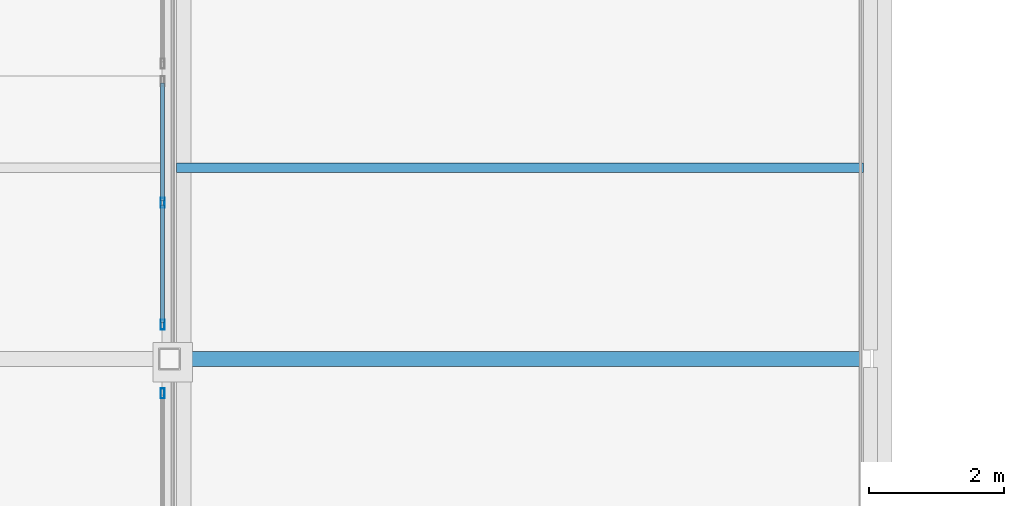
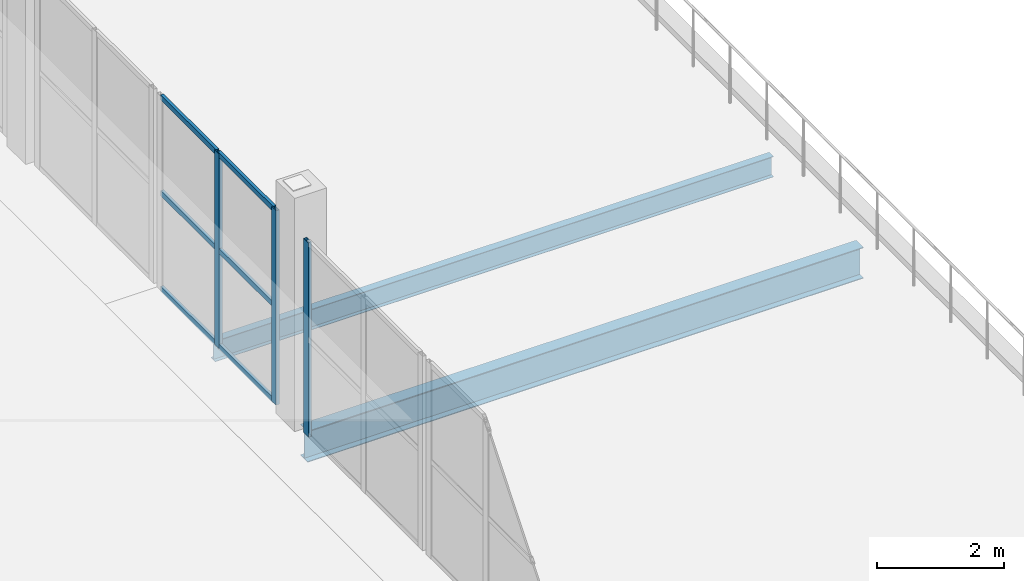
# One storey, part 67 of 156: 9 members, 2 beams, 2 elements without a shape of their own.
"""IFC4 building model written with IfcOpenShell, lengths in metres."""

from ifc_helpers import new_model, si_unit, direction, frame, origin, origin_2d, place, context, subcontext, project, spatial, hollow_rectangle, i_section, extrude, material, material_profile, profile_set, type_object, element, aggregate, save


model = new_model("IFC4")

# Units and contexts
model_context = context("Model", 3, precision=1e-05, world=origin(), true_north=direction((0.0, 1.0)))
body_context = subcontext(model_context, "Body", "Model", "MODEL_VIEW")
ifc_project = project(units=[si_unit("LENGTHUNIT", "METRE"), si_unit("AREAUNIT", "SQUARE_METRE"), si_unit("VOLUMEUNIT", "CUBIC_METRE"), si_unit("PLANEANGLEUNIT", "RADIAN"), si_unit("MASSUNIT", "GRAM", prefix="KILO")], contexts=[model_context])

# Site, building, storey
site_placement = place(None, origin())
site = spatial("IfcSite", under=ifc_project, at=site_placement, CompositionType="ELEMENT")
building_placement = place(site_placement, origin())
building = spatial("IfcBuilding", under=site, at=building_placement, Name="Caurita Quay Ferry Terminal", CompositionType="ELEMENT")
storey_placement = place(building_placement, frame((0.0, 0.0, 5.39990234375)))
storey = spatial("IfcBuildingStorey", under=building, at=storey_placement, Name="L01", CompositionType="ELEMENT", Elevation=5.39990234375)

# Beams
ifc_material_1 = material(Name="Structural steel ASTM A992 Gr. 50", Category="steel")
ifc_material_profile_1 = material_profile(ifc_material_1, i_section(OverallWidth=0.22802734375, OverallDepth=0.60205078125, WebThickness=0.010498046875, FlangeThickness=0.014892578125, at=origin_2d()), Name="W24X68")
ifc_profile_set_1 = profile_set([ifc_material_profile_1], Name="Structural steel ASTM A992 Gr. 50")
beam_type_1 = type_object("IfcBeamType", Name="BM-GR-W24C", PredefinedType="BEAM", material=ifc_profile_set_1)
beam_1_placement = place(storey_placement, frame((142.929443359375, 17.0, -0.560791015625), z_axis=(1.0, 0.0, 0.0), x_axis=(0.0, 1.0, 0.0)))
element("IfcBeam", 1, at=beam_1_placement, inside=storey, type_object=beam_type_1, Name="L01 Beam BM-V3P-L01-X-1429-170", PredefinedType="BEAM", context=body_context, shape_type="SweptSolid", body=[
    extrude(i_section(OverallWidth=0.22802734375, OverallDepth=0.60205078125, WebThickness=0.010498046875, FlangeThickness=0.014892578125, at=origin_2d()), origin(), (0.0, 0.0, 1.0), 10.14111328125),
])
ifc_material_profile_2 = material_profile(ifc_material_1, i_section(OverallWidth=0.139892578125, OverallDepth=0.39892578125, WebThickness=0.00634765625, FlangeThickness=0.0087890625, at=origin_2d()), Name="W16X26")
ifc_profile_set_2 = profile_set([ifc_material_profile_2], Name="Structural steel ASTM A992 Gr. 50")
beam_type_2 = type_object("IfcBeamType", Name="BM-JS-W16C", PredefinedType="JOIST", material=ifc_profile_set_2)
beam_2_placement = place(storey_placement, frame((142.905517578125, 19.833251953125, -0.45947265625), z_axis=(1.0, 0.0, 0.0), x_axis=(0.0, 1.0, 0.0)))
element("IfcBeam", 2, at=beam_2_placement, inside=storey, type_object=beam_type_2, Name="L01 Beam JS-V3P-L01-013", PredefinedType="JOIST", context=body_context, shape_type="SweptSolid", body=[
    extrude(i_section(OverallWidth=0.139892578125, OverallDepth=0.39892578125, WebThickness=0.00634765625, FlangeThickness=0.0087890625, at=origin_2d()), origin(), (0.0, 0.0, 1.0), 10.18896484375),
])

# Curtain wall, member
ifc_material_2 = material(Name="Laminated solar-control insulated glass", Category="glass")
curtain_wall_type = type_object("IfcCurtainWallType", Name="CW-SYS-15", PredefinedType="NOTDEFINED", material=ifc_material_2)
curtain_wall_1_placement = place(storey_placement, origin())
curtain_wall_1 = element("IfcCurtainWall", 3, at=curtain_wall_1_placement, inside=storey, type_object=curtain_wall_type, Name="Boarding Gangway Ribbon Curtain Wall 120", PredefinedType="NOTDEFINED")
ifc_material_3 = material(Name="Anodized aluminium 6063-T6", Category="aluminium")
ifc_material_profile_3 = material_profile(ifc_material_3, hollow_rectangle(XDim=0.06005859375, YDim=0.14990234375, WallThickness=0.00341796875, at=origin_2d()), Name="ALU-MUL-60X150")
ifc_profile_set_3 = profile_set([ifc_material_profile_3], Name="Anodized aluminium 6063-T6")
member_type_1 = type_object("IfcMemberType", Name="CW-MUL-150", PredefinedType="MULLION", material=ifc_profile_set_3)
member_1_placement = place(storey_placement, frame((142.699951171875, 16.489990234375, 0.0), z_axis=(0.0, 0.0, 1.0), x_axis=(-1.0, 0.0, 0.0)))
member_1 = element("IfcMember", 4, at=member_1_placement, type_object=member_type_1, Name="CW-BGW-120 Mullion 3", PredefinedType="MULLION", context=body_context, shape_type="SweptSolid", body=[
    extrude(hollow_rectangle(XDim=0.06005859375, YDim=0.14990234375, WallThickness=0.00341796875, at=origin_2d()), origin(), (0.0, 0.0, 1.0), 3.75),
])
aggregate(curtain_wall_1, [member_1])

# Curtain wall, members
curtain_wall_2_placement = place(storey_placement, origin())
curtain_wall_2 = element("IfcCurtainWall", 5, at=curtain_wall_2_placement, inside=storey, type_object=curtain_wall_type, Name="Boarding Gangway Ribbon Curtain Wall 121", PredefinedType="NOTDEFINED")
member_2_placement = place(storey_placement, frame((142.699951171875, 17.510009765625, 0.0), z_axis=(0.0, 0.0, 1.0), x_axis=(-1.0, 0.0, 0.0)))
member_2 = element("IfcMember", 6, at=member_2_placement, type_object=member_type_1, Name="CW-BGW-121 Mullion 1", PredefinedType="MULLION", context=body_context, shape_type="SweptSolid", body=[
    extrude(hollow_rectangle(XDim=0.06005859375, YDim=0.14990234375, WallThickness=0.00341796875, at=origin_2d()), origin(), (0.0, 0.0, 1.0), 3.75),
])
member_3_placement = place(storey_placement, frame((142.699951171875, 19.31494140625, 0.0), z_axis=(0.0, 0.0, 1.0), x_axis=(-1.0, 0.0, 0.0)))
member_3 = element("IfcMember", 7, at=member_3_placement, type_object=member_type_1, Name="CW-BGW-121 Mullion 2", PredefinedType="MULLION", context=body_context, shape_type="SweptSolid", body=[
    extrude(hollow_rectangle(XDim=0.06005859375, YDim=0.14990234375, WallThickness=0.00341796875, at=origin_2d()), origin(), (0.0, 0.0, 1.0), 3.75),
])
ifc_material_profile_4 = material_profile(ifc_material_3, hollow_rectangle(XDim=0.054931640625, YDim=0.10009765625, WallThickness=0.00341796875, at=origin_2d()), Name="ALU-TRN-55X100")
ifc_profile_set_4 = profile_set([ifc_material_profile_4], Name="Anodized aluminium 6063-T6")
member_type_2 = type_object("IfcMemberType", Name="CW-TRN-100", PredefinedType="USERDEFINED", material=ifc_profile_set_4)
member_4_placement = place(storey_placement, frame((142.699951171875, 17.5380859375, 0.027587890625), z_axis=(0.0, 1.0, 0.0), x_axis=(-1.0, 0.0, 0.0)))
member_4 = element("IfcMember", 8, at=member_4_placement, type_object=member_type_2, Name="CW-BGW-121 Transom 1", ObjectType="TRANSOM", PredefinedType="USERDEFINED", context=body_context, shape_type="SweptSolid", body=[
    extrude(hollow_rectangle(XDim=0.054931640625, YDim=0.10009765625, WallThickness=0.00341796875, at=origin_2d()), origin(), (0.0, 0.0, 1.0), 1.7490234375),
])
member_5_placement = place(storey_placement, frame((142.699951171875, 17.5380859375, 1.875), z_axis=(0.0, 1.0, 0.0), x_axis=(-1.0, 0.0, 0.0)))
member_5 = element("IfcMember", 9, at=member_5_placement, type_object=member_type_2, Name="CW-BGW-121 Transom 2", ObjectType="TRANSOM", PredefinedType="USERDEFINED", context=body_context, shape_type="SweptSolid", body=[
    extrude(hollow_rectangle(XDim=0.054931640625, YDim=0.10009765625, WallThickness=0.00341796875, at=origin_2d()), origin(), (0.0, 0.0, 1.0), 1.7490234375),
])
member_6_placement = place(storey_placement, frame((142.699951171875, 17.5380859375, 3.72265625), z_axis=(0.0, 1.0, 0.0), x_axis=(-1.0, 0.0, 0.0)))
member_6 = element("IfcMember", 10, at=member_6_placement, type_object=member_type_2, Name="CW-BGW-121 Transom 3", ObjectType="TRANSOM", PredefinedType="USERDEFINED", context=body_context, shape_type="SweptSolid", body=[
    extrude(hollow_rectangle(XDim=0.054931640625, YDim=0.10009765625, WallThickness=0.00341796875, at=origin_2d()), origin(), (0.0, 0.0, 1.0), 1.7490234375),
])
member_7_placement = place(storey_placement, frame((142.699951171875, 19.343017578125, 0.027587890625), z_axis=(0.0, 1.0, 0.0), x_axis=(-1.0, 0.0, 0.0)))
member_7 = element("IfcMember", 11, at=member_7_placement, type_object=member_type_2, Name="CW-BGW-121 Transom 4", ObjectType="TRANSOM", PredefinedType="USERDEFINED", context=body_context, shape_type="SweptSolid", body=[
    extrude(hollow_rectangle(XDim=0.054931640625, YDim=0.10009765625, WallThickness=0.00341796875, at=origin_2d()), origin(), (0.0, 0.0, 1.0), 1.7490234375),
])
member_8_placement = place(storey_placement, frame((142.699951171875, 19.343017578125, 1.875), z_axis=(0.0, 1.0, 0.0), x_axis=(-1.0, 0.0, 0.0)))
member_8 = element("IfcMember", 12, at=member_8_placement, type_object=member_type_2, Name="CW-BGW-121 Transom 5", ObjectType="TRANSOM", PredefinedType="USERDEFINED", context=body_context, shape_type="SweptSolid", body=[
    extrude(hollow_rectangle(XDim=0.054931640625, YDim=0.10009765625, WallThickness=0.00341796875, at=origin_2d()), origin(), (0.0, 0.0, 1.0), 1.7490234375),
])
member_9_placement = place(storey_placement, frame((142.699951171875, 19.343017578125, 3.72265625), z_axis=(0.0, 1.0, 0.0), x_axis=(-1.0, 0.0, 0.0)))
member_9 = element("IfcMember", 13, at=member_9_placement, type_object=member_type_2, Name="CW-BGW-121 Transom 6", ObjectType="TRANSOM", PredefinedType="USERDEFINED", context=body_context, shape_type="SweptSolid", body=[
    extrude(hollow_rectangle(XDim=0.054931640625, YDim=0.10009765625, WallThickness=0.00341796875, at=origin_2d()), origin(), (0.0, 0.0, 1.0), 1.7490234375),
])
aggregate(curtain_wall_2, [member_2, member_3, member_4, member_5, member_6, member_7, member_8, member_9])

save(model, "model.ifc")
